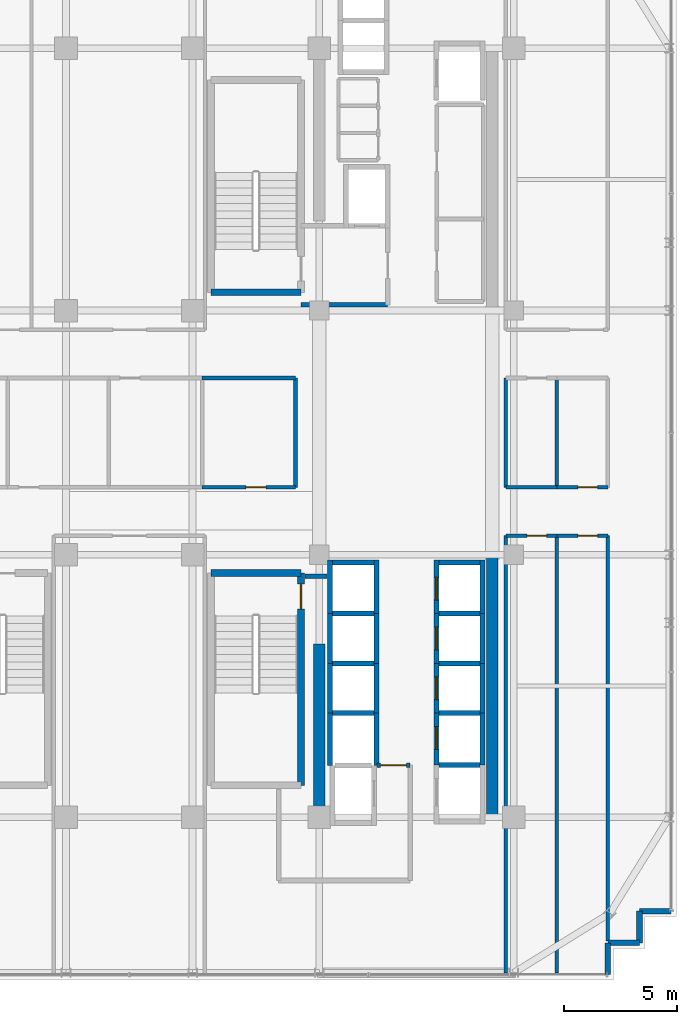
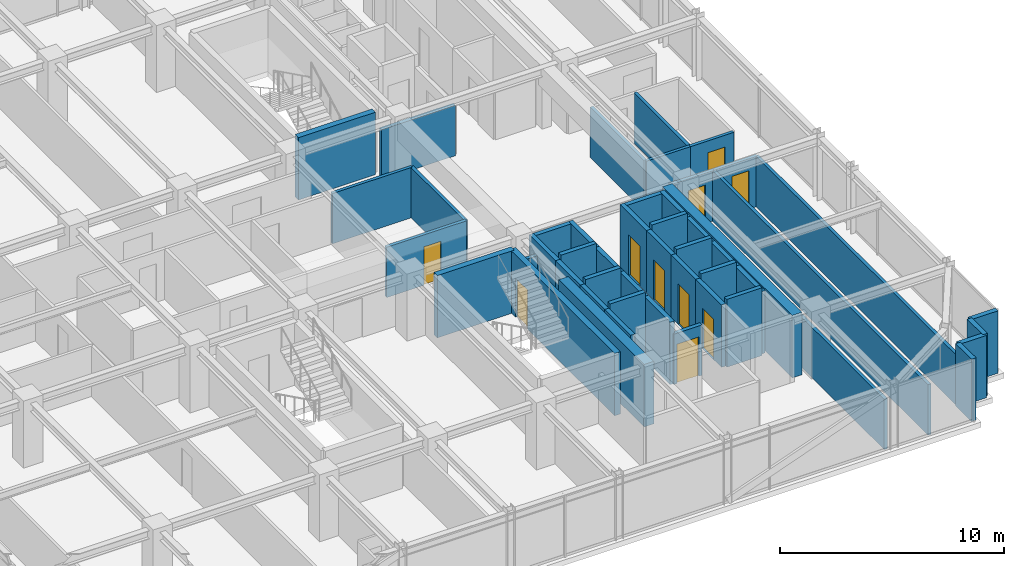
# One storey, part 30 of 36: 49 walls, 10 doors, 10 openings.
"""IFC4 building model written with IfcOpenShell, lengths in metres."""

import ifcopenshell
import ifcopenshell.guid

model = None  # the IFC model being written
_history = None  # IfcOwnerHistory: only IFC2X3 demands one
_inside = {}  # id of a spatial element -> (the spatial element, [elements in it])
_under = {}  # id of a project, library or spatial element -> (it, [spatial elements below it])
_declared = {}  # id of a project -> (the project, [libraries it declares])
_typed = {}  # id of a type object -> (the type object, [elements of that type])
_made_of = {}  # id of a material, layer set ... -> (it, [elements and type objects made of it])


def new_model(schema):
    """Start an empty IFC model of exactly this schema.

    Asked for "IFC4X3", IfcOpenShell would pick the latest addendum, in which some entities
    have other attributes; the version numbers below select the first issue.
    IFC2X3 requires an IfcOwnerHistory on every rooted entity: one is made here for all.
    """
    global model, _history
    if schema == "IFC4X3":
        model = ifcopenshell.file(schema_version=(4, 3, 0, 0))
    else:
        model = ifcopenshell.file(schema=schema)
    _inside.clear()
    _under.clear()
    _declared.clear()
    _typed.clear()
    _made_of.clear()
    _history = None
    if model.schema == "IFC2X3":
        org = make("IfcOrganization", Name="unknown")
        user = make(
            "IfcPersonAndOrganization",
            ThePerson=make("IfcPerson", FamilyName="unknown"),
            TheOrganization=org,
        )
        app = make(
            "IfcApplication",
            ApplicationDeveloper=org,
            Version="unknown",
            ApplicationFullName="unknown",
            ApplicationIdentifier="unknown",
        )
        _history = make(
            "IfcOwnerHistory",
            OwningUser=user,
            OwningApplication=app,
            ChangeAction="ADDED",
            CreationDate=0,
        )
    return model


def make(cls, **values):
    """One entity of the class cls with the attributes given. An attribute that is None is left unset."""
    return model.create_entity(
        cls, **{name: value for name, value in values.items() if value is not None}
    )


def rooted(cls, **values):
    """An entity with a GlobalId (a new one), such as an element, a storey or a relation."""
    return make(cls, GlobalId=ifcopenshell.guid.new(), OwnerHistory=_history, **values)


def si_unit(unit_type, name, prefix=None):
    """IfcSIUnit, for example si_unit("LENGTHUNIT", "METRE", prefix="MILLI")."""
    return make("IfcSIUnit", UnitType=unit_type, Prefix=prefix, Name=name)


def assignment(units):
    """IfcUnitAssignment: the units of a project."""
    return None if units is None else make("IfcUnitAssignment", Units=units)


def point(xyz):
    """IfcCartesianPoint."""
    return None if xyz is None else make("IfcCartesianPoint", Coordinates=xyz)


def direction(xyz):
    """IfcDirection."""
    return None if xyz is None else make("IfcDirection", DirectionRatios=xyz)


def frame(location, z_axis=None, x_axis=None):
    """IfcAxis2Placement3D, a coordinate frame: its origin and axes. An axis left out is left unset."""
    return make(
        "IfcAxis2Placement3D",
        Location=point(location),
        Axis=direction(z_axis),
        RefDirection=direction(x_axis),
    )


def frame_2d(location, x_axis=None):
    """IfcAxis2Placement2D, a coordinate frame in the plane: its origin and x axis."""
    return make(
        "IfcAxis2Placement2D", Location=point(location), RefDirection=direction(x_axis)
    )


def origin():
    """The frame at (0, 0, 0) with its axes left unset."""
    return frame((0.0, 0.0, 0.0))


def place(relative_to, where):
    """IfcLocalPlacement: puts the frame where relative to a parent placement (None: the world)."""
    return make(
        "IfcLocalPlacement", PlacementRelTo=relative_to, RelativePlacement=where
    )


def context(
    kind, dimensions, precision=None, world=None, true_north=None, identifier=None
):
    """IfcGeometricRepresentationContext, for example the 3D "Model" context."""
    return make(
        "IfcGeometricRepresentationContext",
        ContextIdentifier=identifier,
        ContextType=kind,
        CoordinateSpaceDimension=dimensions,
        Precision=precision,
        WorldCoordinateSystem=world,
        TrueNorth=true_north,
    )


def subcontext(parent, identifier, kind, view, scale=None):
    """IfcGeometricRepresentationSubContext, for example "Body" below "Model"."""
    return make(
        "IfcGeometricRepresentationSubContext",
        ContextIdentifier=identifier,
        ContextType=kind,
        ParentContext=parent,
        TargetScale=scale,
        TargetView=view,
    )


def project(units=None, contexts=None):
    """IfcProject with its units and contexts."""
    return rooted(
        "IfcProject",
        Name="project",
        RepresentationContexts=contexts,
        UnitsInContext=assignment(units),
    )


def spatial(cls, under=None, at=None, **own):
    """A site, building, storey or space (cls), placed at a placement, below another one or the project."""
    s = rooted(cls, ObjectPlacement=at, **own)
    if under is not None:
        _under.setdefault(under.id(), (under, []))[1].append(s)
    return s


def profile(cls, at=None, kind="AREA", **sizes):
    """A parametric profile (cls). Its sizes go by their IFC names, for example OverallWidth=200.0."""
    return make(cls, ProfileType=kind, Position=at, **sizes)


def rectangle(**sizes):
    """IfcRectangleProfileDef."""
    return profile("IfcRectangleProfileDef", **sizes)


def extrude(swept, where, along, depth):
    """IfcExtrudedAreaSolid: the profile swept, set in the frame where, extruded along a direction by depth."""
    return make(
        "IfcExtrudedAreaSolid",
        SweptArea=swept,
        Position=where,
        ExtrudedDirection=direction(along),
        Depth=depth,
    )


def shape(context_of_items, identifier, shape_type, items):
    """IfcShapeRepresentation: the items that make up one representation, for example the "Body"."""
    return make(
        "IfcShapeRepresentation",
        ContextOfItems=context_of_items,
        RepresentationIdentifier=identifier,
        RepresentationType=shape_type,
        Items=items,
    )


def source(mapping_origin, context_of_items, identifier, shape_type, items):
    """IfcRepresentationMap: a shape defined once, which mapped items show again and again."""
    return make(
        "IfcRepresentationMap",
        MappingOrigin=mapping_origin,
        MappedRepresentation=shape(context_of_items, identifier, shape_type, items),
    )


def transform(
    local_origin,
    x_axis=None,
    y_axis=None,
    z_axis=None,
    scale=None,
    scale2=None,
    scale3=None,
    uniform=True,
):
    """IfcCartesianTransformationOperator3D, or its non-uniform kind. x_axis, y_axis, z_axis: its Axis1, 2, 3."""
    if uniform:
        return make(
            "IfcCartesianTransformationOperator3D",
            Axis1=direction(x_axis),
            Axis2=direction(y_axis),
            LocalOrigin=point(local_origin),
            Scale=scale,
            Axis3=direction(z_axis),
        )
    return make(
        "IfcCartesianTransformationOperator3DnonUniform",
        Axis1=direction(x_axis),
        Axis2=direction(y_axis),
        LocalOrigin=point(local_origin),
        Scale=scale,
        Axis3=direction(z_axis),
        Scale2=scale2,
        Scale3=scale3,
    )


def mapped(mapping_source, mapping_target):
    """IfcMappedItem: shows the shape of a source again, moved by a transform."""
    return make(
        "IfcMappedItem", MappingSource=mapping_source, MappingTarget=mapping_target
    )


def material(Name=None, Category=None):
    """IfcMaterial."""
    return make("IfcMaterial", Name=Name, Category=Category)


def layer(
    of_material, thickness, ventilated=None, Name=None, Category=None, Priority=None
):
    """IfcMaterialLayer: one layer of a wall or slab, of a material (None: an air gap)."""
    return make(
        "IfcMaterialLayer",
        Material=of_material,
        LayerThickness=thickness,
        IsVentilated=ventilated,
        Name=Name,
        Category=Category,
        Priority=Priority,
    )


def layer_set(layers, Name=None):
    """IfcMaterialLayerSet."""
    return make("IfcMaterialLayerSet", MaterialLayers=layers, LayerSetName=Name)


def made_of(thing, what):
    """Note that an element or type object is made of a material, layer set ...; save() writes the relation."""
    if what is not None:
        _made_of.setdefault(what.id(), (what, []))[1].append(thing)
    return thing


def type_object(cls, material=None, **own):
    """A type object (cls), such as IfcWallType, which elements share."""
    return made_of(rooted(cls, **own), material)


def element(
    cls,
    number,
    at=None,
    inside=None,
    cuts=None,
    type_object=None,
    material=None,
    context=None,
    identifier="Body",
    shape_type=None,
    held_by="IfcProductDefinitionShape",
    body=None,
    shapes=None,
    **own,
):
    """One element of the class cls, such as IfcWall. Its Tag is "e" and its number.

    at: its placement. inside: the storey or other place that contains it. cuts: it is an
    opening in that element (IfcRelVoidsElement). A single representation is given by context,
    identifier, shape_type and body (its items); several are given by shapes. held_by: the class
    of the entity that holds the representations. save() writes the other relations.
    """
    e = rooted(cls, Tag="e%d" % number, ObjectPlacement=at, **own)
    if body is not None:
        shapes = [shape(context, identifier, shape_type, body)]
    if shapes is not None:
        e.Representation = make(held_by, Representations=shapes)
    if inside is not None:
        _inside.setdefault(inside.id(), (inside, []))[1].append(e)
    if cuts is not None:
        rooted(
            "IfcRelVoidsElement", RelatingBuildingElement=cuts, RelatedOpeningElement=e
        )
    if type_object is not None:
        _typed.setdefault(type_object.id(), (type_object, []))[1].append(e)
    return made_of(e, material)


def fill(opening, filler):
    """IfcRelFillsElement: the door or window that sits in an opening."""
    return rooted(
        "IfcRelFillsElement",
        RelatingOpeningElement=opening,
        RelatedBuildingElement=filler,
    )


def aggregate(whole, parts):
    """IfcRelAggregates: a whole, such as a stair, and the parts it consists of."""
    return rooted("IfcRelAggregates", RelatingObject=whole, RelatedObjects=parts)


def save(model, path):
    """Write the relations noted so far, then the file.

    IfcRelAggregates (storeys below a building ...), IfcRelContainedInSpatialStructure (elements
    in a storey), IfcRelDefinesByType, IfcRelAssociatesMaterial and IfcRelDeclares: one each for
    every whole, place, type object, material and project.
    """
    for whole, parts in _under.values():
        aggregate(whole, parts)
    for where, things in _inside.values():
        rooted(
            "IfcRelContainedInSpatialStructure",
            RelatedElements=things,
            RelatingStructure=where,
        )
    for kind, things in _typed.values():
        rooted("IfcRelDefinesByType", RelatedObjects=things, RelatingType=kind)
    for what, things in _made_of.values():
        rooted("IfcRelAssociatesMaterial", RelatedObjects=things, RelatingMaterial=what)
    for by, libraries in _declared.values():
        rooted("IfcRelDeclares", RelatingContext=by, RelatedDefinitions=libraries)
    model.write(path)


model = new_model("IFC4")

# Units and contexts
model_context = context("Model", 3, precision=1e-05, world=origin(), true_north=direction((0.0, 1.0)))
body_context = subcontext(model_context, "Body", "Model", "MODEL_VIEW")
ifc_project = project(units=[si_unit("LENGTHUNIT", "METRE"), si_unit("AREAUNIT", "SQUARE_METRE"), si_unit("VOLUMEUNIT", "CUBIC_METRE"), si_unit("PLANEANGLEUNIT", "RADIAN"), si_unit("MASSUNIT", "GRAM", prefix="KILO")], contexts=[model_context])

# Site, building, storey
site_placement = place(None, origin())
site = spatial("IfcSite", under=ifc_project, at=site_placement, CompositionType="ELEMENT")
building_placement = place(site_placement, origin())
building = spatial("IfcBuilding", under=site, at=building_placement, Name="Nahalor Promenade Grand Hotel", CompositionType="ELEMENT")
storey_placement = place(building_placement, frame((0.0, 0.0, 212.300048828125)))
storey = spatial("IfcBuildingStorey", under=building, at=storey_placement, Name="L54", CompositionType="ELEMENT", Elevation=212.300048828125)

# Walls
ifc_material_1 = material(Name="Concrete B-60 (C50/60)", Category="concrete")
ifc_layer_1 = layer(ifc_material_1, 0.5)
ifc_layer_set_1 = layer_set([ifc_layer_1], Name="Concrete B-60 (C50/60)")
wall_type_1 = type_object("IfcWallType", Name="Wall-CoreShear-500", PredefinedType="SHEAR", material=ifc_layer_set_1)
shared_shape_1 = source(origin(), body_context, "Body", "SweptSolid", [
    extrude(rectangle(XDim=7.64990234375, YDim=0.5, at=frame_2d((3.824951171875, 0.0))), origin(), (0.0, 0.0, 1.0), 3.409912109375),
])
wall_1_placement = place(storey_placement, frame((8.39990234375, -17.0, 0.0), z_axis=(0.0, 0.0, 1.0), x_axis=(0.0, 1.0, 0.0)))
element("IfcWall", 1, at=wall_1_placement, inside=storey, type_object=wall_type_1, Name="CWALL-L54-SW", PredefinedType="SHEAR", context=body_context, shape_type="MappedRepresentation", body=[
    mapped(shared_shape_1, transform((0.0, 0.0, 0.0), scale=1.0)),
])
shared_shape_2 = source(origin(), body_context, "Body", "SweptSolid", [
    extrude(rectangle(XDim=11.60009765625, YDim=0.5, at=frame_2d((5.800048828125, 0.0))), origin(), (0.0, 0.0, 1.0), 3.409912109375),
])
wall_2_placement = place(storey_placement, frame((16.050048828125, -17.0, 0.0), z_axis=(0.0, 0.0, 1.0), x_axis=(0.0, 1.0, 0.0)))
element("IfcWall", 2, at=wall_2_placement, inside=storey, type_object=wall_type_1, Name="CWALL-L54-SE", PredefinedType="SHEAR", context=body_context, shape_type="MappedRepresentation", body=[
    mapped(shared_shape_2, transform((0.0, 0.0, 0.0), scale=1.0)),
])
ifc_material_2 = material(Name="Concrete B-50 (C40/50)", Category="concrete")
ifc_layer_2 = layer(ifc_material_2, 0.300048828125)
ifc_layer_set_2 = layer_set([ifc_layer_2], Name="Concrete B-50 (C40/50)")
wall_type_2 = type_object("IfcWallType", Name="Wall-ShaftShear-300", PredefinedType="SHEAR", material=ifc_layer_set_2)
shared_shape_3 = source(origin(), body_context, "Body", "SweptSolid", [
    extrude(rectangle(XDim=3.97998046875, YDim=0.300048828125, at=frame_2d((1.989990234375, 0.0))), origin(), (0.0, 0.0, 1.0), 3.409912109375),
])
for number, where, z_axis, x_axis, name in (
    (3, (3.610107421875, 6.2099609375, 0.0), (0.0, 0.0, 1.0), (1.0, 0.0, 0.0), "L54 Exit Stair ST1 Shaft Wall S"),
    (4, (3.610107421875, -6.2099609375, 0.0), (0.0, 0.0, 1.0), (1.0, 0.0, 0.0), "L54 Exit Stair ST2 Shaft Wall N"),
):
    element("IfcWall", number, at=place(storey_placement, frame(where, z_axis=z_axis, x_axis=x_axis)), inside=storey, type_object=wall_type_2, Name=name, PredefinedType="SHEAR", context=body_context, shape_type="MappedRepresentation", body=[
        mapped(shared_shape_3, transform((0.0, 0.0, 0.0), scale=1.0)),
    ])

# Wall, opening, door
shared_shape_4 = source(origin(), body_context, "Body", "SweptSolid", [
    extrude(rectangle(XDim=9.380126953125, YDim=0.300048828125, at=frame_2d((4.68994140625, 0.0))), origin(), (0.0, 0.0, 1.0), 3.409912109375),
])
wall_3_placement = place(storey_placement, frame((7.590087890625, -15.590087890625, 0.0), z_axis=(0.0, 0.0, 1.0), x_axis=(0.0, 1.0, 0.0)))
wall_3 = element("IfcWall", 5, at=wall_3_placement, inside=storey, type_object=wall_type_2, Name="L54 Exit Stair ST2 Shaft Wall E", PredefinedType="SHEAR", context=body_context, shape_type="MappedRepresentation", body=[
    mapped(shared_shape_4, transform((0.0, 0.0, 0.0), scale=1.0)),
])
opening_1_placement = place(wall_3_placement, frame((7.7900390625, 0.0, 0.0)))
opening_1 = element("IfcOpeningElement", 6, at=opening_1_placement, cuts=wall_3, Name="Opening D-ST1", PredefinedType="OPENING", context=body_context, shape_type="SweptSolid", body=[
    extrude(rectangle(XDim=1.10009765625, YDim=2.14990234375, at=frame_2d((0.550048828125, 1.074951171875))), frame((0.0, 0.159912109375, 0.0), z_axis=(0.0, -1.0, 0.0), x_axis=(1.0, 0.0, 0.0)), (0.0, 0.0, 1.0), 0.320068359375),
])
ifc_material_3 = material(Name="Steel S355JR", Category="steel")
door_type_1 = type_object("IfcDoorType", Name="Door-StairFire-1100", OperationType="NOTDEFINED", PredefinedType="DOOR", material=ifc_material_3)
shared_shape_5 = source(origin(), body_context, "Body", "SweptSolid", [
    extrude(rectangle(XDim=1.10009765625, YDim=2.14990234375, at=frame_2d((0.550048828125, 1.074951171875))), frame((0.0, 0.02490234375, 0.0), z_axis=(0.0, -1.0, 0.0), x_axis=(1.0, 0.0, 0.0)), (0.0, 0.0, 1.0), 0.050048828125),
])
door_1_placement = place(opening_1_placement, origin())
door_1 = element("IfcDoor", 7, at=door_1_placement, inside=storey, type_object=door_type_1, Name="DR-STAIR-ST2-L54", OperationType="SINGLE_SWING_LEFT", OverallHeight=2.14990234375, OverallWidth=1.10009765625, PredefinedType="DOOR", context=body_context, shape_type="MappedRepresentation", body=[
    mapped(shared_shape_5, transform((0.0, 0.0, 0.0), scale=1.0)),
])
fill(opening_1, door_1)

ifc_layer_3 = layer(ifc_material_2, 0.219970703125)
ifc_layer_set_3 = layer_set([ifc_layer_3], Name="Concrete B-50 (C40/50)")
wall_type_3 = type_object("IfcWallType", Name="Wall-LiftShaft-220", PredefinedType="SHEAR", material=ifc_layer_set_3)
shared_shape_6 = source(origin(), body_context, "Body", "SweptSolid", [
    extrude(rectangle(XDim=2.360107421875, YDim=0.219970703125, at=frame_2d((1.18017578125, 0.0))), origin(), (0.0, 0.0, 1.0), 3.409912109375),
])
wall_4_placement = place(storey_placement, frame((13.580078125, -8.0, 0.0), z_axis=(0.0, 0.0, 1.0), x_axis=(0.0, 1.0, 0.0)))
wall_4 = element("IfcWall", 8, at=wall_4_placement, inside=storey, type_object=wall_type_3, Name="L54 Lift PL5 Hoistway Wall W", PredefinedType="SHEAR", context=body_context, shape_type="MappedRepresentation", body=[
    mapped(shared_shape_6, transform((0.0, 0.0, 0.0), scale=1.0)),
])
opening_2_placement = place(wall_4_placement, frame((0.60009765625, 0.0, 0.0)))
opening_2 = element("IfcOpeningElement", 9, at=opening_2_placement, cuts=wall_4, Name="Opening LD-01", PredefinedType="OPENING", context=body_context, shape_type="SweptSolid", body=[
    extrude(rectangle(XDim=1.0, YDim=2.199951171875, at=frame_2d((0.5, 1.10009765625))), frame((0.0, 0.119873046875, 0.0), z_axis=(0.0, -1.0, 0.0), x_axis=(1.0, 0.0, 0.0)), (0.0, 0.0, 1.0), 0.239990234375),
])
door_type_2 = type_object("IfcDoorType", Name="Door-LiftLanding-1000", OperationType="DOUBLE_DOOR_SLIDING", PredefinedType="DOOR", material=ifc_material_3)
shared_shape_7 = source(origin(), body_context, "Body", "SweptSolid", [
    extrude(rectangle(XDim=1.0, YDim=2.199951171875, at=frame_2d((0.5, 1.10009765625))), frame((0.0, 0.02490234375, 0.0), z_axis=(0.0, -1.0, 0.0), x_axis=(1.0, 0.0, 0.0)), (0.0, 0.0, 1.0), 0.050048828125),
])
door_2_placement = place(opening_2_placement, origin())
door_2 = element("IfcDoor", 10, at=door_2_placement, inside=storey, type_object=door_type_2, Name="DR-LIFT-PL5-L54", OperationType="DOUBLE_DOOR_SLIDING", OverallHeight=2.199951171875, OverallWidth=1.0, PredefinedType="DOOR", context=body_context, shape_type="MappedRepresentation", body=[
    mapped(shared_shape_7, transform((0.0, 0.0, 0.0), scale=1.0)),
])
fill(opening_2, door_2)

# Walls
for number, where, z_axis, x_axis, name in (
    (11, (15.6201171875, -8.0, 0.0), (0.0, 0.0, 1.0), (0.0, 1.0, 0.0), "L54 Lift PL5 Hoistway Wall E"),
    (12, (8.8798828125, -8.0, 0.0), (0.0, 0.0, 1.0), (0.0, 1.0, 0.0), "L54 Lift PL9 Hoistway Wall W"),
    (13, (10.919921875, -8.0, 0.0), (0.0, 0.0, 1.0), (0.0, 1.0, 0.0), "L54 Lift PL9 Hoistway Wall E"),
):
    element("IfcWall", number, at=place(storey_placement, frame(where, z_axis=z_axis, x_axis=x_axis)), inside=storey, type_object=wall_type_3, Name=name, PredefinedType="SHEAR", context=body_context, shape_type="MappedRepresentation", body=[
        mapped(shared_shape_6, transform((0.0, 0.0, 0.0), scale=1.0)),
    ])
shared_shape_8 = source(origin(), body_context, "Body", "SweptSolid", [
    extrude(rectangle(XDim=1.820068359375, YDim=0.219970703125, at=frame_2d((0.91015625, 0.0))), origin(), (0.0, 0.0, 1.0), 3.409912109375),
])
for number, where, z_axis, x_axis, name in (
    (14, (13.68994140625, -5.75, 0.0), (0.0, 0.0, 1.0), (1.0, 0.0, 0.0), "L54 Lift PL5 Hoistway Wall N"),
    (15, (8.989990234375, -5.75, 0.0), (0.0, 0.0, 1.0), (1.0, 0.0, 0.0), "L54 Lift PL9 Hoistway Wall N"),
):
    element("IfcWall", number, at=place(storey_placement, frame(where, z_axis=z_axis, x_axis=x_axis)), inside=storey, type_object=wall_type_3, Name=name, PredefinedType="SHEAR", context=body_context, shape_type="MappedRepresentation", body=[
        mapped(shared_shape_8, transform((0.0, 0.0, 0.0), scale=1.0)),
    ])

# Wall, opening, door
shared_shape_9 = source(origin(), body_context, "Body", "SweptSolid", [
    extrude(rectangle(XDim=2.199951171875, YDim=0.219970703125, at=frame_2d((1.10009765625, 0.0))), origin(), (0.0, 0.0, 1.0), 3.409912109375),
])
wall_5_placement = place(storey_placement, frame((13.580078125, -10.199951171875, 0.0), z_axis=(0.0, 0.0, 1.0), x_axis=(0.0, 1.0, 0.0)))
wall_5 = element("IfcWall", 16, at=wall_5_placement, inside=storey, type_object=wall_type_3, Name="L54 Lift PL6 Hoistway Wall W", PredefinedType="SHEAR", context=body_context, shape_type="MappedRepresentation", body=[
    mapped(shared_shape_9, transform((0.0, 0.0, 0.0), scale=1.0)),
])
opening_3_placement = place(wall_5_placement, frame((0.60009765625, 0.0, 0.0)))
opening_3 = element("IfcOpeningElement", 17, at=opening_3_placement, cuts=wall_5, Name="Opening LD-01", PredefinedType="OPENING", context=body_context, shape_type="SweptSolid", body=[
    extrude(rectangle(XDim=1.0, YDim=2.199951171875, at=frame_2d((0.5, 1.10009765625))), frame((0.0, 0.119873046875, 0.0), z_axis=(0.0, -1.0, 0.0), x_axis=(1.0, 0.0, 0.0)), (0.0, 0.0, 1.0), 0.239990234375),
])
door_3_placement = place(opening_3_placement, origin())
door_3 = element("IfcDoor", 18, at=door_3_placement, inside=storey, type_object=door_type_2, Name="DR-LIFT-PL6-L54", OperationType="DOUBLE_DOOR_SLIDING", OverallHeight=2.199951171875, OverallWidth=1.0, PredefinedType="DOOR", context=body_context, shape_type="MappedRepresentation", body=[
    mapped(shared_shape_7, transform((0.0, 0.0, 0.0), scale=1.0)),
])
fill(opening_3, door_3)

# Wall
wall_6_placement = place(storey_placement, frame((15.6201171875, -10.199951171875, 0.0), z_axis=(0.0, 0.0, 1.0), x_axis=(0.0, 1.0, 0.0)))
element("IfcWall", 19, at=wall_6_placement, inside=storey, type_object=wall_type_3, Name="L54 Lift PL6 Hoistway Wall E", PredefinedType="SHEAR", context=body_context, shape_type="MappedRepresentation", body=[
    mapped(shared_shape_9, transform((0.0, 0.0, 0.0), scale=1.0)),
])

# Wall, opening, door
wall_7_placement = place(storey_placement, frame((13.580078125, -12.39990234375, 0.0), z_axis=(0.0, 0.0, 1.0), x_axis=(0.0, 1.0, 0.0)))
wall_7 = element("IfcWall", 20, at=wall_7_placement, inside=storey, type_object=wall_type_3, Name="L54 Lift PL7 Hoistway Wall W", PredefinedType="SHEAR", context=body_context, shape_type="MappedRepresentation", body=[
    mapped(shared_shape_9, transform((0.0, 0.0, 0.0), scale=1.0)),
])
opening_4_placement = place(wall_7_placement, frame((0.60009765625, 0.0, 0.0)))
opening_4 = element("IfcOpeningElement", 21, at=opening_4_placement, cuts=wall_7, Name="Opening LD-01", PredefinedType="OPENING", context=body_context, shape_type="SweptSolid", body=[
    extrude(rectangle(XDim=1.0, YDim=2.199951171875, at=frame_2d((0.5, 1.10009765625))), frame((0.0, 0.119873046875, 0.0), z_axis=(0.0, -1.0, 0.0), x_axis=(1.0, 0.0, 0.0)), (0.0, 0.0, 1.0), 0.239990234375),
])
door_4_placement = place(opening_4_placement, origin())
door_4 = element("IfcDoor", 22, at=door_4_placement, inside=storey, type_object=door_type_2, Name="DR-LIFT-PL7-L54", OperationType="DOUBLE_DOOR_SLIDING", OverallHeight=2.199951171875, OverallWidth=1.0, PredefinedType="DOOR", context=body_context, shape_type="MappedRepresentation", body=[
    mapped(shared_shape_7, transform((0.0, 0.0, 0.0), scale=1.0)),
])
fill(opening_4, door_4)

# Walls
for number, where, z_axis, x_axis, name in (
    (23, (15.6201171875, -12.39990234375, 0.0), (0.0, 0.0, 1.0), (0.0, 1.0, 0.0), "L54 Lift PL7 Hoistway Wall E"),
    (24, (8.8798828125, -10.199951171875, 0.0), (0.0, 0.0, 1.0), (0.0, 1.0, 0.0), "L54 Lift PL10 Hoistway Wall W"),
    (25, (10.919921875, -10.199951171875, 0.0), (0.0, 0.0, 1.0), (0.0, 1.0, 0.0), "L54 Lift PL10 Hoistway Wall E"),
    (26, (8.8798828125, -12.39990234375, 0.0), (0.0, 0.0, 1.0), (0.0, 1.0, 0.0), "L54 Lift PL11 Hoistway Wall W"),
    (27, (10.919921875, -12.39990234375, 0.0), (0.0, 0.0, 1.0), (0.0, 1.0, 0.0), "L54 Lift PL11 Hoistway Wall E"),
):
    element("IfcWall", number, at=place(storey_placement, frame(where, z_axis=z_axis, x_axis=x_axis)), inside=storey, type_object=wall_type_3, Name=name, PredefinedType="SHEAR", context=body_context, shape_type="MappedRepresentation", body=[
        mapped(shared_shape_9, transform((0.0, 0.0, 0.0), scale=1.0)),
    ])
shared_shape_10 = source(origin(), body_context, "Body", "SweptSolid", [
    extrude(rectangle(XDim=1.820068359375, YDim=0.219970703125, at=frame_2d((0.91015625, 0.0))), origin(), (0.0, 0.0, 1.0), 3.699951171875),
])
for number, where, z_axis, x_axis, name in (
    (28, (13.68994140625, -8.0, 0.0), (0.0, 0.0, 1.0), (1.0, 0.0, 0.0), "L54 Lift PL6 Hoistway Wall N"),
    (29, (13.68994140625, -10.199951171875, 0.0), (0.0, 0.0, 1.0), (1.0, 0.0, 0.0), "L54 Lift PL7 Hoistway Wall N"),
    (30, (13.68994140625, -12.39990234375, 0.0), (0.0, 0.0, 1.0), (1.0, 0.0, 0.0), "L54 Lift PL8 Hoistway Wall N"),
    (31, (8.989990234375, -8.0, 0.0), (0.0, 0.0, 1.0), (1.0, 0.0, 0.0), "L54 Lift PL10 Hoistway Wall N"),
    (32, (8.989990234375, -10.199951171875, 0.0), (0.0, 0.0, 1.0), (1.0, 0.0, 0.0), "L54 Lift PL11 Hoistway Wall N"),
    (33, (8.989990234375, -12.39990234375, 0.0), (0.0, 0.0, 1.0), (1.0, 0.0, 0.0), "L54 Lift PL12 Hoistway Wall N"),
    (34, (13.68994140625, -14.699951171875, 0.0), (0.0, 0.0, 1.0), (1.0, 0.0, 0.0), "L54 Lift SV2 Hoistway Wall N"),
):
    element("IfcWall", number, at=place(storey_placement, frame(where, z_axis=z_axis, x_axis=x_axis)), inside=storey, type_object=wall_type_3, Name=name, PredefinedType="SHEAR", context=body_context, shape_type="MappedRepresentation", body=[
        mapped(shared_shape_10, transform((0.0, 0.0, 0.0), scale=1.0)),
    ])

# Wall, opening, door
shared_shape_11 = source(origin(), body_context, "Body", "SweptSolid", [
    extrude(rectangle(XDim=2.300048828125, YDim=0.219970703125, at=frame_2d((1.14990234375, 0.0))), origin(), (0.0, 0.0, 1.0), 3.409912109375),
])
wall_8_placement = place(storey_placement, frame((13.580078125, -14.699951171875, 0.0), z_axis=(0.0, 0.0, 1.0), x_axis=(0.0, 1.0, 0.0)))
wall_8 = element("IfcWall", 35, at=wall_8_placement, inside=storey, type_object=wall_type_3, Name="L54 Lift PL8 Hoistway Wall W", PredefinedType="SHEAR", context=body_context, shape_type="MappedRepresentation", body=[
    mapped(shared_shape_11, transform((0.0, 0.0, 0.0), scale=1.0)),
])
opening_5_placement = place(wall_8_placement, frame((0.699951171875, 0.0, 0.0)))
opening_5 = element("IfcOpeningElement", 36, at=opening_5_placement, cuts=wall_8, Name="Opening LD-01", PredefinedType="OPENING", context=body_context, shape_type="SweptSolid", body=[
    extrude(rectangle(XDim=1.0, YDim=2.199951171875, at=frame_2d((0.5, 1.10009765625))), frame((0.0, 0.119873046875, 0.0), z_axis=(0.0, -1.0, 0.0), x_axis=(1.0, 0.0, 0.0)), (0.0, 0.0, 1.0), 0.239990234375),
])
door_5_placement = place(opening_5_placement, origin())
door_5 = element("IfcDoor", 37, at=door_5_placement, inside=storey, type_object=door_type_2, Name="DR-LIFT-PL8-L54", OperationType="DOUBLE_DOOR_SLIDING", OverallHeight=2.199951171875, OverallWidth=1.0, PredefinedType="DOOR", context=body_context, shape_type="MappedRepresentation", body=[
    mapped(shared_shape_7, transform((0.0, 0.0, 0.0), scale=1.0)),
])
fill(opening_5, door_5)

# Walls
wall_9_placement = place(storey_placement, frame((15.6201171875, -14.699951171875, 0.0), z_axis=(0.0, 0.0, 1.0), x_axis=(0.0, 1.0, 0.0)))
element("IfcWall", 38, at=wall_9_placement, inside=storey, type_object=wall_type_3, Name="L54 Lift PL8 Hoistway Wall E", PredefinedType="SHEAR", context=body_context, shape_type="MappedRepresentation", body=[
    mapped(shared_shape_11, transform((0.0, 0.0, 0.0), scale=1.0)),
])
shared_shape_12 = source(origin(), body_context, "Body", "SweptSolid", [
    extrude(rectangle(XDim=2.3251953125, YDim=0.219970703125, at=frame_2d((1.16259765625, 0.0))), origin(), (0.0, 0.0, 1.0), 3.409912109375),
])
for number, where, z_axis, x_axis, name in (
    (39, (8.8798828125, -14.72509765625, 0.0), (0.0, 0.0, 1.0), (0.0, 1.0, 0.0), "L54 Lift PL12 Hoistway Wall W"),
    (40, (10.919921875, -14.72509765625, 0.0), (0.0, 0.0, 1.0), (0.0, 1.0, 0.0), "L54 Lift PL12 Hoistway Wall E"),
):
    element("IfcWall", number, at=place(storey_placement, frame(where, z_axis=z_axis, x_axis=x_axis)), inside=storey, type_object=wall_type_3, Name=name, PredefinedType="SHEAR", context=body_context, shape_type="MappedRepresentation", body=[
        mapped(shared_shape_12, transform((0.0, 0.0, 0.0), scale=1.0)),
    ])
ifc_material_4 = material(Name="Concrete B-40 (C32/40)", Category="concrete")
ifc_layer_4 = layer(ifc_material_4, 0.25)
ifc_layer_set_4 = layer_set([ifc_layer_4], Name="Concrete B-40 (C32/40)")
wall_type_4 = type_object("IfcWallType", Name="Wall-BronzePier-250", PredefinedType="STANDARD", material=ifc_layer_set_4)
shared_shape_13 = source(origin(), body_context, "Body", "SweptSolid", [
    extrude(rectangle(XDim=1.39990234375, YDim=0.25, at=frame_2d((0.699951171875, 0.0))), origin(), (0.0, 0.0, 1.0), 3.409912109375),
])
for number, where, z_axis, x_axis, name in (
    (41, (21.159912109375, -23.9599609375, 0.0), (0.0, 0.0, 1.0), (0.0, 1.0, 0.0), "W-L54-SR-01"),
    (42, (22.56005859375, -21.159912109375, 0.0), (0.0, 0.0, 1.0), (1.0, 0.0, 0.0), "W-L54-SR-04"),
):
    element("IfcWall", number, at=place(storey_placement, frame(where, z_axis=z_axis, x_axis=x_axis)), inside=storey, type_object=wall_type_4, Name=name, PredefinedType="STANDARD", context=body_context, shape_type="MappedRepresentation", body=[
        mapped(shared_shape_13, transform((0.0, 0.0, 0.0), scale=1.0)),
    ])
shared_shape_14 = source(origin(), body_context, "Body", "SweptSolid", [
    extrude(rectangle(XDim=1.400146484375, YDim=0.25, at=frame_2d((0.7001953125, 0.0))), origin(), (0.0, 0.0, 1.0), 3.409912109375),
])
for number, where, z_axis, x_axis, name in (
    (43, (21.159912109375, -22.56005859375, 0.0), (0.0, 0.0, 1.0), (1.0, 0.0, 0.0), "W-L54-SR-02"),
    (44, (22.56005859375, -22.56005859375, 0.0), (0.0, 0.0, 1.0), (0.0, 1.0, 0.0), "W-L54-SR-03"),
):
    element("IfcWall", number, at=place(storey_placement, frame(where, z_axis=z_axis, x_axis=x_axis)), inside=storey, type_object=wall_type_4, Name=name, PredefinedType="STANDARD", context=body_context, shape_type="MappedRepresentation", body=[
        mapped(shared_shape_14, transform((0.0, 0.0, 0.0), scale=1.0)),
    ])
ifc_layer_5 = layer(ifc_material_4, 0.199951171875)
ifc_layer_set_5 = layer_set([ifc_layer_5], Name="Concrete B-40 (C32/40)")
wall_type_5 = type_object("IfcWallType", Name="Wall-PartFire-200", PredefinedType="PARTITIONING", material=ifc_layer_set_5)
shared_shape_15 = source(origin(), body_context, "Body", "SweptSolid", [
    extrude(rectangle(XDim=3.81982421875, YDim=0.199951171875, at=frame_2d((1.909912109375, 0.0))), origin(), (0.0, 0.0, 1.0), 2.75),
])
wall_10_placement = place(storey_placement, frame((7.60009765625, 5.64990234375, 0.0), z_axis=(0.0, 0.0, 1.0), x_axis=(1.0, 0.0, 0.0)))
element("IfcWall", 45, at=wall_10_placement, inside=storey, type_object=wall_type_5, Name="W-L54-FF1-S", PredefinedType="PARTITIONING", context=body_context, shape_type="MappedRepresentation", body=[
    mapped(shared_shape_15, transform((0.0, 0.0, 0.0), scale=1.0)),
])

# Wall, opening, door
shared_shape_16 = source(origin(), body_context, "Body", "SweptSolid", [
    extrude(rectangle(XDim=1.4599609375, YDim=0.199951171875, at=frame_2d((0.72998046875, 0.0))), origin(), (0.0, 0.0, 1.0), 2.75),
])
wall_11_placement = place(storey_placement, frame((10.9599609375, -14.699951171875, 0.0), z_axis=(0.0, 0.0, 1.0), x_axis=(1.0, 0.0, 0.0)))
wall_11 = element("IfcWall", 46, at=wall_11_placement, inside=storey, type_object=wall_type_5, Name="W-L54-FF2-N1", PredefinedType="PARTITIONING", context=body_context, shape_type="MappedRepresentation", body=[
    mapped(shared_shape_16, transform((0.0, 0.0, 0.0), scale=1.0)),
])
opening_6_placement = place(wall_11_placement, frame((0.14501953125, 0.0, 0.0)))
opening_6 = element("IfcOpeningElement", 47, at=opening_6_placement, cuts=wall_11, Name="Opening D-FF1", PredefinedType="OPENING", context=body_context, shape_type="SweptSolid", body=[
    extrude(rectangle(XDim=1.14990234375, YDim=2.14990234375, at=frame_2d((0.574951171875, 1.074951171875))), frame((0.0, 0.10986328125, 0.0), z_axis=(0.0, -1.0, 0.0), x_axis=(1.0, 0.0, 0.0)), (0.0, 0.0, 1.0), 0.219970703125),
])
door_type_3 = type_object("IfcDoorType", Name="Door-FFLobby-1150", OperationType="NOTDEFINED", PredefinedType="DOOR", material=ifc_material_3)
shared_shape_17 = source(origin(), body_context, "Body", "SweptSolid", [
    extrude(rectangle(XDim=1.14990234375, YDim=2.14990234375, at=frame_2d((0.574951171875, 1.074951171875))), frame((0.0, 0.02490234375, 0.0), z_axis=(0.0, -1.0, 0.0), x_axis=(1.0, 0.0, 0.0)), (0.0, 0.0, 1.0), 0.050048828125),
])
door_6_placement = place(opening_6_placement, origin())
door_6 = element("IfcDoor", 48, at=door_6_placement, inside=storey, type_object=door_type_3, Name="DR-L54-FFL2", OperationType="SINGLE_SWING_LEFT", OverallHeight=2.14990234375, OverallWidth=1.14990234375, PredefinedType="DOOR", context=body_context, shape_type="MappedRepresentation", body=[
    mapped(shared_shape_17, transform((0.0, 0.0, 0.0), scale=1.0)),
])
fill(opening_6, door_6)

# Wall
shared_shape_18 = source(origin(), body_context, "Body", "SweptSolid", [
    extrude(rectangle(XDim=0.969970703125, YDim=0.199951171875, at=frame_2d((0.48486328125, 0.0))), origin(), (0.0, 0.0, 1.0), 2.75),
])
wall_12_placement = place(storey_placement, frame((7.77001953125, -6.35009765625, 0.0), z_axis=(0.0, 0.0, 1.0), x_axis=(1.0, 0.0, 0.0)))
element("IfcWall", 49, at=wall_12_placement, inside=storey, type_object=wall_type_5, Name="W-L54-FF2-N2", PredefinedType="PARTITIONING", context=body_context, shape_type="MappedRepresentation", body=[
    mapped(shared_shape_18, transform((0.0, 0.0, 0.0), scale=1.0)),
])

# Wall, opening, door
ifc_material_5 = material(Name="Acoustic Mineral Gypsum", Category="gypsum")
ifc_layer_6 = layer(ifc_material_5, 0.159912109375)
ifc_layer_set_6 = layer_set([ifc_layer_6], Name="Acoustic Mineral Gypsum")
wall_type_6 = type_object("IfcWallType", Name="Wall-PartCorridor-160", PredefinedType="PARTITIONING", material=ifc_layer_set_6)
shared_shape_19 = source(origin(), body_context, "Body", "SweptSolid", [
    extrude(rectangle(XDim=2.255126953125, YDim=0.159912109375, at=frame_2d((1.12744140625, 0.0))), origin(), (0.0, 0.0, 1.0), 2.75),
])
wall_13_placement = place(storey_placement, frame((16.64990234375, -4.550048828125, 0.0), z_axis=(0.0, 0.0, 1.0), x_axis=(1.0, 0.0, 0.0)))
wall_13 = element("IfcWall", 50, at=wall_13_placement, inside=storey, type_object=wall_type_6, Name="W-L54-ESE1-N", PredefinedType="PARTITIONING", context=body_context, shape_type="MappedRepresentation", body=[
    mapped(shared_shape_19, transform((0.0, 0.0, 0.0), scale=1.0)),
])
opening_7_placement = place(wall_13_placement, frame((0.924072265625, 0.0, 0.0)))
opening_7 = element("IfcOpeningElement", 51, at=opening_7_placement, cuts=wall_13, Name="Opening D-03", PredefinedType="OPENING", context=body_context, shape_type="SweptSolid", body=[
    extrude(rectangle(XDim=0.8798828125, YDim=2.10009765625, at=frame_2d((0.43994140625, 1.050048828125))), frame((0.0, 0.08984375, 0.0), z_axis=(0.0, -1.0, 0.0), x_axis=(1.0, 0.0, 0.0)), (0.0, 0.0, 1.0), 0.179931640625),
])
ifc_material_6 = material(Name="Fire-Rated Timber Composite", Category="wood")
door_type_4 = type_object("IfcDoorType", Name="Door-BathSwing-880", OperationType="NOTDEFINED", PredefinedType="DOOR", material=ifc_material_6)
shared_shape_20 = source(origin(), body_context, "Body", "SweptSolid", [
    extrude(rectangle(XDim=0.8798828125, YDim=2.10009765625, at=frame_2d((0.43994140625, 1.050048828125))), frame((0.0, 0.02490234375, 0.0), z_axis=(0.0, -1.0, 0.0), x_axis=(1.0, 0.0, 0.0)), (0.0, 0.0, 1.0), 0.050048828125),
])
door_7_placement = place(opening_7_placement, frame((0.8798828125, 0.0, 0.0), z_axis=(0.0, 0.0, 1.0), x_axis=(-1.0, 0.0, 0.0)))
door_7 = element("IfcDoor", 52, at=door_7_placement, inside=storey, type_object=door_type_4, Name="DR-L54-ESE1", OperationType="SINGLE_SWING_LEFT", OverallHeight=2.10009765625, OverallWidth=0.8798828125, PredefinedType="DOOR", context=body_context, shape_type="MappedRepresentation", body=[
    mapped(shared_shape_20, transform((0.0, 0.0, 0.0), scale=1.0)),
])
fill(opening_7, door_7)

# Walls
wall_14_placement = place(storey_placement, frame((16.64990234375, -2.419921875, 0.0), z_axis=(0.0, 0.0, 1.0), x_axis=(1.0, 0.0, 0.0)))
element("IfcWall", 53, at=wall_14_placement, inside=storey, type_object=wall_type_6, Name="W-L54-ECW1-S", PredefinedType="PARTITIONING", context=body_context, shape_type="MappedRepresentation", body=[
    mapped(shared_shape_19, transform((0.0, 0.0, 0.0), scale=1.0)),
])
shared_shape_21 = source(origin(), body_context, "Body", "SweptSolid", [
    extrude(rectangle(XDim=19.349853515625, YDim=0.159912109375, at=frame_2d((9.6748046875, 0.0))), origin(), (0.0, 0.0, 1.0), 2.75),
])
for number, where, z_axis, x_axis, name in (
    (54, (16.64990234375, -23.89990234375, 0.0), (0.0, 0.0, 1.0), (0.0, 1.0, 0.0), "W-L54-ESE1-W"),
    (55, (18.905029296875, -23.89990234375, 0.0), (0.0, 0.0, 1.0), (0.0, 1.0, 0.0), "W-L54-ESE1-E"),
):
    element("IfcWall", number, at=place(storey_placement, frame(where, z_axis=z_axis, x_axis=x_axis)), inside=storey, type_object=wall_type_6, Name=name, PredefinedType="PARTITIONING", context=body_context, shape_type="MappedRepresentation", body=[
        mapped(shared_shape_21, transform((0.0, 0.0, 0.0), scale=1.0)),
    ])

# Wall, opening, door
shared_shape_22 = source(origin(), body_context, "Body", "SweptSolid", [
    extrude(rectangle(XDim=2.2548828125, YDim=0.159912109375, at=frame_2d((1.12744140625, 0.0))), origin(), (0.0, 0.0, 1.0), 2.75),
])
wall_15_placement = place(storey_placement, frame((18.905029296875, -4.550048828125, 0.0), z_axis=(0.0, 0.0, 1.0), x_axis=(1.0, 0.0, 0.0)))
wall_15 = element("IfcWall", 56, at=wall_15_placement, inside=storey, type_object=wall_type_6, Name="W-L54-ESE2-N", PredefinedType="PARTITIONING", context=body_context, shape_type="MappedRepresentation", body=[
    mapped(shared_shape_22, transform((0.0, 0.0, 0.0), scale=1.0)),
])
opening_8_placement = place(wall_15_placement, frame((0.924072265625, 0.0, 0.0)))
opening_8 = element("IfcOpeningElement", 57, at=opening_8_placement, cuts=wall_15, Name="Opening D-03", PredefinedType="OPENING", context=body_context, shape_type="SweptSolid", body=[
    extrude(rectangle(XDim=0.8798828125, YDim=2.10009765625, at=frame_2d((0.43994140625, 1.050048828125))), frame((0.0, 0.08984375, 0.0), z_axis=(0.0, -1.0, 0.0), x_axis=(1.0, 0.0, 0.0)), (0.0, 0.0, 1.0), 0.179931640625),
])
door_8_placement = place(opening_8_placement, frame((0.8798828125, 0.0, 0.0), z_axis=(0.0, 0.0, 1.0), x_axis=(-1.0, 0.0, 0.0)))
door_8 = element("IfcDoor", 58, at=door_8_placement, inside=storey, type_object=door_type_4, Name="DR-L54-ESE2", OperationType="SINGLE_SWING_RIGHT", OverallHeight=2.10009765625, OverallWidth=0.8798828125, PredefinedType="DOOR", context=body_context, shape_type="MappedRepresentation", body=[
    mapped(shared_shape_20, transform((0.0, 0.0, 0.0), scale=1.0)),
])
fill(opening_8, door_8)

wall_16_placement = place(storey_placement, frame((18.905029296875, -2.419921875, 0.0), z_axis=(0.0, 0.0, 1.0), x_axis=(1.0, 0.0, 0.0)))
wall_16 = element("IfcWall", 59, at=wall_16_placement, inside=storey, type_object=wall_type_6, Name="W-L54-ECW2-S", PredefinedType="PARTITIONING", context=body_context, shape_type="MappedRepresentation", body=[
    mapped(shared_shape_22, transform((0.0, 0.0, 0.0), scale=1.0)),
])
opening_9_placement = place(wall_16_placement, frame((0.924072265625, 0.0, 0.0)))
opening_9 = element("IfcOpeningElement", 60, at=opening_9_placement, cuts=wall_16, Name="Opening D-03", PredefinedType="OPENING", context=body_context, shape_type="SweptSolid", body=[
    extrude(rectangle(XDim=0.8798828125, YDim=2.10009765625, at=frame_2d((0.43994140625, 1.050048828125))), frame((0.0, 0.08984375, 0.0), z_axis=(0.0, -1.0, 0.0), x_axis=(1.0, 0.0, 0.0)), (0.0, 0.0, 1.0), 0.179931640625),
])
door_9_placement = place(opening_9_placement, origin())
door_9 = element("IfcDoor", 61, at=door_9_placement, inside=storey, type_object=door_type_4, Name="DR-L54-ECW2", OperationType="SINGLE_SWING_RIGHT", OverallHeight=2.10009765625, OverallWidth=0.8798828125, PredefinedType="DOOR", context=body_context, shape_type="MappedRepresentation", body=[
    mapped(shared_shape_20, transform((0.0, 0.0, 0.0), scale=1.0)),
])
fill(opening_9, door_9)

# Walls
shared_shape_23 = source(origin(), body_context, "Body", "SweptSolid", [
    extrude(rectangle(XDim=17.929931640625, YDim=0.159912109375, at=frame_2d((8.96484375, 0.0))), origin(), (0.0, 0.0, 1.0), 2.75),
])
wall_17_placement = place(storey_placement, frame((21.159912109375, -22.47998046875, 0.0), z_axis=(0.0, 0.0, 1.0), x_axis=(0.0, 1.0, 0.0)))
element("IfcWall", 62, at=wall_17_placement, inside=storey, type_object=wall_type_6, Name="W-L54-ESE2-E", PredefinedType="PARTITIONING", context=body_context, shape_type="MappedRepresentation", body=[
    mapped(shared_shape_23, transform((0.0, 0.0, 0.0), scale=1.0)),
])
shared_shape_24 = source(origin(), body_context, "Body", "SweptSolid", [
    extrude(rectangle(XDim=4.83984375, YDim=0.159912109375, at=frame_2d((2.419921875, 0.0))), origin(), (0.0, 0.0, 1.0), 2.75),
])
for number, where, z_axis, x_axis, name in (
    (63, (7.35009765625, -2.419921875, 0.0), (0.0, 0.0, 1.0), (0.0, 1.0, 0.0), "W-L54-CM4-E"),
    (64, (16.64990234375, -2.419921875, 0.0), (0.0, 0.0, 1.0), (0.0, 1.0, 0.0), "W-L54-ECW1-W"),
    (65, (18.905029296875, -2.419921875, 0.0), (0.0, 0.0, 1.0), (0.0, 1.0, 0.0), "W-L54-ECW1-E"),
):
    element("IfcWall", number, at=place(storey_placement, frame(where, z_axis=z_axis, x_axis=x_axis)), inside=storey, type_object=wall_type_6, Name=name, PredefinedType="PARTITIONING", context=body_context, shape_type="MappedRepresentation", body=[
        mapped(shared_shape_24, transform((0.0, 0.0, 0.0), scale=1.0)),
    ])

# Wall, opening, door
shared_shape_25 = source(origin(), body_context, "Body", "SweptSolid", [
    extrude(rectangle(XDim=4.128173828125, YDim=0.159912109375, at=frame_2d((2.06396484375, 0.0))), origin(), (0.0, 0.0, 1.0), 2.75),
])
wall_18_placement = place(storey_placement, frame((3.221923828125, -2.419921875, 0.0), z_axis=(0.0, 0.0, 1.0), x_axis=(1.0, 0.0, 0.0)))
wall_18 = element("IfcWall", 66, at=wall_18_placement, inside=storey, type_object=wall_type_6, Name="W-L54-CM4-S", PredefinedType="PARTITIONING", context=body_context, shape_type="MappedRepresentation", body=[
    mapped(shared_shape_25, transform((0.0, 0.0, 0.0), scale=1.0)),
])
opening_10_placement = place(wall_18_placement, frame((1.93310546875, 0.0, 0.0)))
opening_10 = element("IfcOpeningElement", 67, at=opening_10_placement, cuts=wall_18, Name="Opening D-03", PredefinedType="OPENING", context=body_context, shape_type="SweptSolid", body=[
    extrude(rectangle(XDim=0.8798828125, YDim=2.10009765625, at=frame_2d((0.43994140625, 1.050048828125))), frame((0.0, 0.08984375, 0.0), z_axis=(0.0, -1.0, 0.0), x_axis=(1.0, 0.0, 0.0)), (0.0, 0.0, 1.0), 0.179931640625),
])
door_10_placement = place(opening_10_placement, origin())
door_10 = element("IfcDoor", 68, at=door_10_placement, inside=storey, type_object=door_type_4, Name="DR-L54-CM4", OperationType="SINGLE_SWING_RIGHT", OverallHeight=2.10009765625, OverallWidth=0.8798828125, PredefinedType="DOOR", context=body_context, shape_type="MappedRepresentation", body=[
    mapped(shared_shape_20, transform((0.0, 0.0, 0.0), scale=1.0)),
])
fill(opening_10, door_10)

# Wall
wall_19_placement = place(storey_placement, frame((3.221923828125, 2.419921875, 0.0), z_axis=(0.0, 0.0, 1.0), x_axis=(1.0, 0.0, 0.0)))
element("IfcWall", 69, at=wall_19_placement, inside=storey, type_object=wall_type_6, Name="W-L54-CM4-N", PredefinedType="PARTITIONING", context=body_context, shape_type="MappedRepresentation", body=[
    mapped(shared_shape_25, transform((0.0, 0.0, 0.0), scale=1.0)),
])

save(model, "model.ifc")
